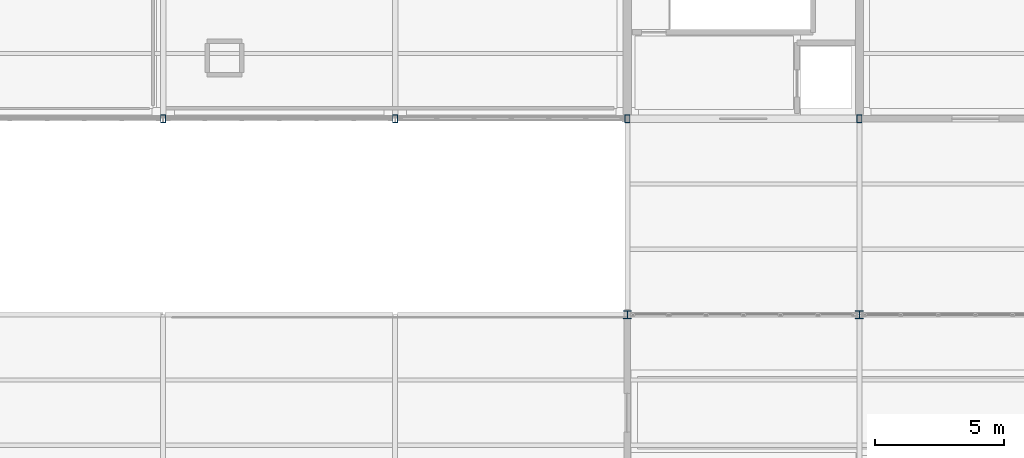
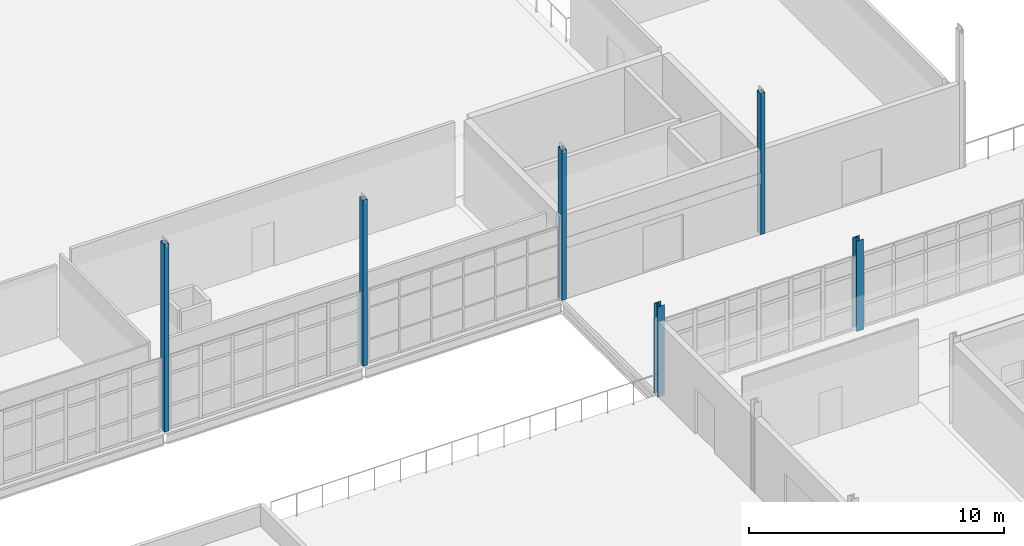
# One storey, part 3 of 166: 6 columns.
"""IFC4 building model written with IfcOpenShell, lengths in metres."""

from ifc_helpers import new_model, si_unit, direction, frame, origin, origin_2d, place, context, subcontext, project, spatial, hollow_rectangle, i_section, extrude, material, material_profile, profile_set, type_object, element, save


model = new_model("IFC4")

# Units and contexts
model_context = context("Model", 3, precision=1e-05, world=origin(), true_north=direction((0.0, 1.0)))
body_context = subcontext(model_context, "Body", "Model", "MODEL_VIEW")
ifc_project = project(units=[si_unit("LENGTHUNIT", "METRE"), si_unit("AREAUNIT", "SQUARE_METRE"), si_unit("VOLUMEUNIT", "CUBIC_METRE"), si_unit("PLANEANGLEUNIT", "RADIAN"), si_unit("MASSUNIT", "GRAM", prefix="KILO")], contexts=[model_context])

# Site, building, storey
site_placement = place(None, origin())
site = spatial("IfcSite", under=ifc_project, at=site_placement, CompositionType="ELEMENT")
building_placement = place(site_placement, origin())
building = spatial("IfcBuilding", under=site, at=building_placement, Name="Caisbarro Railhouse Central Library", CompositionType="ELEMENT")
storey_placement = place(building_placement, frame((0.0, 0.0, 9.360107421875)))
storey = spatial("IfcBuildingStorey", under=building, at=storey_placement, Name="L02", CompositionType="ELEMENT", Elevation=9.360107421875)

# Columns
ifc_material = material(Name="Steel ASTM A572 Grade 50", Category="steel")
ifc_material_profile_1 = material_profile(ifc_material, i_section(OverallWidth=0.31201171875, OverallDepth=0.31201171875, WebThickness=0.017333984375, FlangeThickness=0.017333984375, FilletRadius=0.014892578125, at=origin_2d()), Name="HP310X125.0")
ifc_profile_set_1 = profile_set([ifc_material_profile_1], Name="Steel ASTM A572 Grade 50")
column_type_1 = type_object("IfcColumnType", Name="COL-C03", PredefinedType="COLUMN", material=ifc_profile_set_1)
for number, where, z_axis, x_axis, name in (
    (1, (54.0, 22.800048828125, 0.0), (0.0, 0.0, 1.0), (1.0, 0.0, 0.0), "C03 column L02 (54.0,22.8)"),
    (2, (63.0, 22.800048828125, 0.0), (0.0, 0.0, 1.0), (1.0, 0.0, 0.0), "C03 column L02 (63.0,22.8)"),
):
    element("IfcColumn", number, at=place(storey_placement, frame(where, z_axis=z_axis, x_axis=x_axis)), inside=storey, type_object=column_type_1, Name=name, PredefinedType="COLUMN", context=body_context, shape_type="SweptSolid", body=[
        extrude(i_section(OverallWidth=0.31201171875, OverallDepth=0.31201171875, WebThickness=0.017333984375, FlangeThickness=0.017333984375, FilletRadius=0.014892578125, at=origin_2d()), origin(), (0.0, 0.0, 1.0), 4.31982421875),
    ])
ifc_material_profile_2 = material_profile(ifc_material, hollow_rectangle(XDim=0.199951171875, YDim=0.300048828125, WallThickness=0.012451171875, at=origin_2d()), Name="HSS300X200X12.5")
ifc_profile_set_2 = profile_set([ifc_material_profile_2], Name="Steel ASTM A572 Grade 50")
column_type_2 = type_object("IfcColumnType", Name="COL-C09", PredefinedType="COLUMN", material=ifc_profile_set_2)
column_1_placement = place(storey_placement, frame((36.0, 30.39990234375, 0.0), z_axis=(0.0, 0.0, 1.0), x_axis=(1.0, 0.0, 0.0)))
element("IfcColumn", 3, at=column_1_placement, inside=storey, type_object=column_type_2, Name="C09 column L02 (36.0,30.4)", PredefinedType="COLUMN", context=body_context, shape_type="SweptSolid", body=[
    extrude(hollow_rectangle(XDim=0.199951171875, YDim=0.300048828125, WallThickness=0.012451171875, at=origin_2d()), origin(), (0.0, 0.0, 1.0), 8.989990234375),
])
column_2_placement = place(storey_placement, frame((45.0, 30.39990234375, 0.0), z_axis=(0.0, 0.0, 1.0), x_axis=(1.0, 0.0, 0.0)))
element("IfcColumn", 4, at=column_2_placement, inside=storey, type_object=column_type_2, Name="C09 column L02 (45.0,30.4)", PredefinedType="COLUMN", context=body_context, shape_type="SweptSolid", body=[
    extrude(hollow_rectangle(XDim=0.199951171875, YDim=0.300048828125, WallThickness=0.012451171875, at=origin_2d()), origin(), (0.0, 0.0, 1.0), 7.93994140625),
])
column_3_placement = place(storey_placement, frame((54.0, 30.39990234375, 0.0), z_axis=(0.0, 0.0, 1.0), x_axis=(1.0, 0.0, 0.0)))
element("IfcColumn", 5, at=column_3_placement, inside=storey, type_object=column_type_2, Name="C09 column L02 (54.0,30.4)", PredefinedType="COLUMN", context=body_context, shape_type="SweptSolid", body=[
    extrude(hollow_rectangle(XDim=0.199951171875, YDim=0.300048828125, WallThickness=0.012451171875, at=origin_2d()), origin(), (0.0, 0.0, 1.0), 7.18994140625),
])
column_4_placement = place(storey_placement, frame((63.0, 30.39990234375, 0.0), z_axis=(0.0, 0.0, 1.0), x_axis=(1.0, 0.0, 0.0)))
element("IfcColumn", 6, at=column_4_placement, inside=storey, type_object=column_type_2, Name="C09 column L02 (63.0,30.4)", PredefinedType="COLUMN", context=body_context, shape_type="SweptSolid", body=[
    extrude(hollow_rectangle(XDim=0.199951171875, YDim=0.300048828125, WallThickness=0.012451171875, at=origin_2d()), origin(), (0.0, 0.0, 1.0), 6.739990234375),
])

save(model, "model.ifc")
